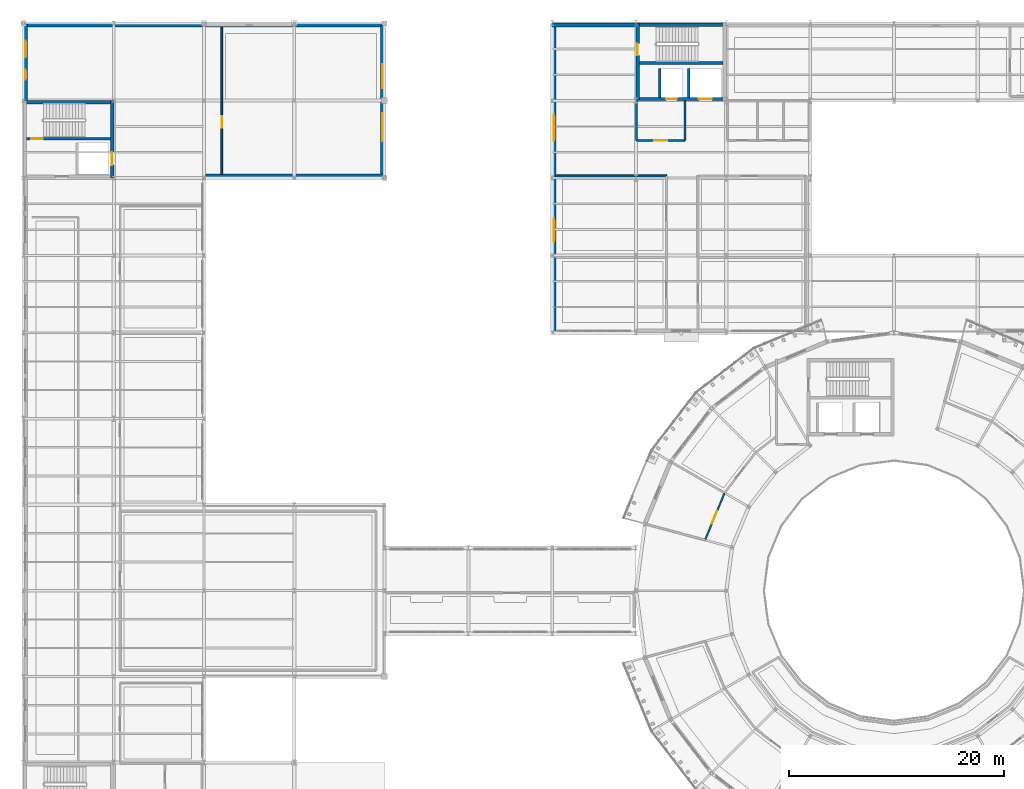
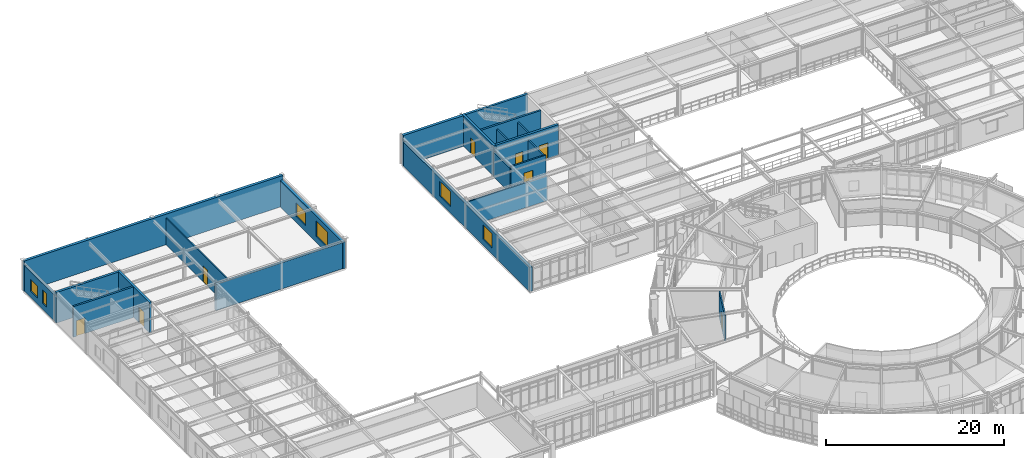
# One storey, part 76 of 90: 21 walls, 8 doors, 6 windows, 14 openings.
"""IFC4 building model written with IfcOpenShell, lengths in metres."""

from ifc_helpers import new_model, si_unit, derived_unit, direction, frame, frame_2d, origin, place, context, subcontext, project, spatial, rectangle, extrude, material, layer, layer_set, type_object, element, fill, save


model = new_model("IFC4")

# Units and contexts
model_context = context("Model", 3, precision=1e-05, world=origin(), true_north=direction((0.0, 1.0)))
body_context = subcontext(model_context, "Body", "Model", "MODEL_VIEW")
ifc_project = project(units=[si_unit("LENGTHUNIT", "METRE"), si_unit("AREAUNIT", "SQUARE_METRE"), si_unit("VOLUMEUNIT", "CUBIC_METRE"), si_unit("PLANEANGLEUNIT", "RADIAN"), si_unit("MASSUNIT", "GRAM", prefix="KILO"), derived_unit("THERMALTRANSMITTANCEUNIT", [(si_unit("POWERUNIT", "WATT"), 1), (si_unit("AREAUNIT", "SQUARE_METRE"), -1), (si_unit("THERMODYNAMICTEMPERATUREUNIT", "KELVIN"), -1)])], contexts=[model_context])

# Site, building, storey
site_placement = place(None, origin())
site = spatial("IfcSite", under=ifc_project, at=site_placement, CompositionType="ELEMENT")
building_placement = place(site_placement, origin())
building = spatial("IfcBuilding", under=site, at=building_placement, Name="Yasenodar Specialist Clinic", CompositionType="ELEMENT")
storey_placement = place(building_placement, frame((0.0, 0.0, 9.0)))
storey = spatial("IfcBuildingStorey", under=building, at=storey_placement, Name="L02", CompositionType="ELEMENT", Elevation=9.0)

# Wall
ifc_material_1 = material(Name="Fluted Terracotta Spandrel Wall", Category="masonry")
ifc_layer_1 = layer(ifc_material_1, 0.31494140625)
ifc_layer_set_1 = layer_set([ifc_layer_1], Name="Fluted Terracotta Spandrel Wall")
wall_type_1 = type_object("IfcWallType", Name="EW-TERR-315", PredefinedType="SOLIDWALL", material=ifc_layer_set_1)
wall_1_placement = place(storey_placement, frame((33.60009765625, 97.39990234375, 0.0), z_axis=(0.0, 0.0, 1.0), x_axis=(-1.0, 0.0, 0.0)))
element("IfcWall", 1, at=wall_1_placement, inside=storey, type_object=wall_type_1, Name="L02 Exterior Facade Wall 0109", PredefinedType="SOLIDWALL", context=body_context, shape_type="SweptSolid", body=[
    extrude(rectangle(XDim=16.800048828125, YDim=0.31494140625, at=frame_2d((8.39990234375, 0.0))), origin(), (0.0, 0.0, 1.0), 3.587890625),
])

# Wall, openings, windows
ifc_material_2 = material(Name="Buff Architectural Terracotta Rainscreen", Category="masonry")
ifc_layer_2 = layer(ifc_material_2, 0.340087890625)
ifc_layer_set_2 = layer_set([ifc_layer_2], Name="Buff Architectural Terracotta Rainscreen")
wall_type_2 = type_object("IfcWallType", Name="EW-TERR-340", PredefinedType="SOLIDWALL", material=ifc_layer_set_2)
wall_2_placement = place(storey_placement, frame((0.199951171875, 104.39990234375, 0.0), z_axis=(0.0, 0.0, 1.0), x_axis=(0.0, 1.0, 0.0)))
wall_2 = element("IfcWall", 2, at=wall_2_placement, inside=storey, type_object=wall_type_2, Name="L02 Exterior Facade Wall 0107", PredefinedType="SOLIDWALL", context=body_context, shape_type="SweptSolid", body=[
    extrude(rectangle(XDim=7.2001953125, YDim=0.340087890625, at=frame_2d((3.60009765625, 0.0))), origin(), (0.0, 0.0, 1.0), 3.5380859375),
])
opening_1_placement = place(wall_2_placement, frame((1.949951171875, 0.0, 0.85009765625)))
opening_1 = element("IfcOpeningElement", 3, at=opening_1_placement, cuts=wall_2, Name="Opening W-09", PredefinedType="OPENING", context=body_context, shape_type="SweptSolid", body=[
    extrude(rectangle(XDim=0.89990234375, YDim=1.800048828125, at=frame_2d((0.449951171875, 0.89990234375))), frame((0.0, 0.18017578125, 0.0), z_axis=(0.0, -1.0, 0.0), x_axis=(1.0, 0.0, 0.0)), (0.0, 0.0, 1.0), 0.360107421875),
])
opening_2_placement = place(wall_2_placement, frame((4.02490234375, 0.0, 0.85009765625)))
opening_2 = element("IfcOpeningElement", 4, at=opening_2_placement, cuts=wall_2, Name="Opening W-16", PredefinedType="OPENING", context=body_context, shape_type="SweptSolid", body=[
    extrude(rectangle(XDim=1.550048828125, YDim=1.60009765625, at=frame_2d((0.77490234375, 0.800048828125))), frame((0.0, 0.18017578125, 0.0), z_axis=(0.0, -1.0, 0.0), x_axis=(1.0, 0.0, 0.0)), (0.0, 0.0, 1.0), 0.360107421875),
])
ifc_material_3 = material(Name="Triple Low-E Argon Glazing in Bronze Aluminium Frame", Category="aluminium")
window_type_1 = type_object("IfcWindowType", Name="WIN-EXT-09", PartitioningType="SINGLE_PANEL", PredefinedType="WINDOW", material=ifc_material_3)
window_1_placement = place(opening_1_placement, origin())
window_1 = element("IfcWindow", 5, at=window_1_placement, inside=storey, type_object=window_type_1, Name="L02 Triple-Glazed Reveal Window 0105", OverallHeight=1.800048828125, OverallWidth=0.89990234375, PartitioningType="SINGLE_PANEL", PredefinedType="WINDOW", context=body_context, shape_type="SweptSolid", body=[
    extrude(rectangle(XDim=0.89990234375, YDim=1.800048828125, at=frame_2d((0.449951171875, 0.89990234375))), frame((0.0, 0.030029296875, 0.0), z_axis=(0.0, -1.0, 0.0), x_axis=(1.0, 0.0, 0.0)), (0.0, 0.0, 1.0), 0.06005859375),
])
fill(opening_1, window_1)
window_type_2 = type_object("IfcWindowType", Name="WIN-EXT-16", PartitioningType="SINGLE_PANEL", PredefinedType="WINDOW", material=ifc_material_3)
window_2_placement = place(opening_2_placement, origin())
window_2 = element("IfcWindow", 6, at=window_2_placement, inside=storey, type_object=window_type_2, Name="L02 Triple-Glazed Reveal Window 0106", OverallHeight=1.60009765625, OverallWidth=1.550048828125, PartitioningType="SINGLE_PANEL", PredefinedType="WINDOW", context=body_context, shape_type="SweptSolid", body=[
    extrude(rectangle(XDim=1.550048828125, YDim=1.60009765625, at=frame_2d((0.77490234375, 0.800048828125))), frame((0.0, 0.030029296875, 0.0), z_axis=(0.0, -1.0, 0.0), x_axis=(1.0, 0.0, 0.0)), (0.0, 0.0, 1.0), 0.06005859375),
])
fill(opening_2, window_2)

wall_3_placement = place(storey_placement, frame((33.39990234375, 111.39990234375, 0.0), z_axis=(0.0, 0.0, 1.0), x_axis=(0.0, -1.0, 0.0)))
wall_3 = element("IfcWall", 7, at=wall_3_placement, inside=storey, type_object=wall_type_2, Name="L02 Exterior Facade Wall 0108", PredefinedType="SOLIDWALL", context=body_context, shape_type="SweptSolid", body=[
    extrude(rectangle(XDim=14.199951171875, YDim=0.340087890625, at=frame_2d((7.10009765625, 0.0))), origin(), (0.0, 0.0, 1.0), 3.6279296875),
])
opening_3_placement = place(wall_3_placement, frame((3.63330078125, 0.0, 0.85009765625)))
opening_3 = element("IfcOpeningElement", 8, at=opening_3_placement, cuts=wall_3, Name="Opening W-13", PredefinedType="OPENING", context=body_context, shape_type="SweptSolid", body=[
    extrude(rectangle(XDim=2.199951171875, YDim=1.85009765625, at=frame_2d((1.10009765625, 0.925048828125))), frame((0.0, 0.18017578125, 0.0), z_axis=(0.0, -1.0, 0.0), x_axis=(1.0, 0.0, 0.0)), (0.0, 0.0, 1.0), 0.360107421875),
])
opening_4_placement = place(wall_3_placement, frame((8.166748046875, 0.0, 0.85009765625)))
opening_4 = element("IfcOpeningElement", 9, at=opening_4_placement, cuts=wall_3, Name="Opening W-14", PredefinedType="OPENING", context=body_context, shape_type="SweptSolid", body=[
    extrude(rectangle(XDim=2.60009765625, YDim=2.10009765625, at=frame_2d((1.300048828125, 1.050048828125))), frame((0.0, 0.18017578125, 0.0), z_axis=(0.0, -1.0, 0.0), x_axis=(1.0, 0.0, 0.0)), (0.0, 0.0, 1.0), 0.360107421875),
])
window_type_3 = type_object("IfcWindowType", Name="WIN-EXT-13", PartitioningType="SINGLE_PANEL", PredefinedType="WINDOW", material=ifc_material_3)
window_3_placement = place(opening_3_placement, origin())
window_3 = element("IfcWindow", 10, at=window_3_placement, inside=storey, type_object=window_type_3, Name="L02 Triple-Glazed Reveal Window 0107", OverallHeight=1.85009765625, OverallWidth=2.199951171875, PartitioningType="SINGLE_PANEL", PredefinedType="WINDOW", context=body_context, shape_type="SweptSolid", body=[
    extrude(rectangle(XDim=2.199951171875, YDim=1.85009765625, at=frame_2d((1.10009765625, 0.925048828125))), frame((0.0, 0.030029296875, 0.0), z_axis=(0.0, -1.0, 0.0), x_axis=(1.0, 0.0, 0.0)), (0.0, 0.0, 1.0), 0.06005859375),
])
fill(opening_3, window_3)
window_type_4 = type_object("IfcWindowType", Name="WIN-EXT-14", PartitioningType="SINGLE_PANEL", PredefinedType="WINDOW", material=ifc_material_3)
window_4_placement = place(opening_4_placement, origin())
window_4 = element("IfcWindow", 11, at=window_4_placement, inside=storey, type_object=window_type_4, Name="L02 Triple-Glazed Reveal Window 0108", OverallHeight=2.10009765625, OverallWidth=2.60009765625, PartitioningType="SINGLE_PANEL", PredefinedType="WINDOW", context=body_context, shape_type="SweptSolid", body=[
    extrude(rectangle(XDim=2.60009765625, YDim=2.10009765625, at=frame_2d((1.300048828125, 1.050048828125))), frame((0.0, 0.030029296875, 0.0), z_axis=(0.0, -1.0, 0.0), x_axis=(1.0, 0.0, 0.0)), (0.0, 0.0, 1.0), 0.06005859375),
])
fill(opening_4, window_4)

wall_4_placement = place(storey_placement, frame((49.3701171875, 82.800048828125, 0.0), z_axis=(0.0, 0.0, 1.0), x_axis=(0.0, 1.0, 0.0)))
wall_4 = element("IfcWall", 12, at=wall_4_placement, inside=storey, type_object=wall_type_2, Name="L02 Exterior Facade Wall 0159", PredefinedType="SOLIDWALL", context=body_context, shape_type="SweptSolid", body=[
    extrude(rectangle(XDim=28.599853515625, YDim=0.340087890625, at=frame_2d((14.2998046875, 0.0))), origin(), (0.0, 0.0, 1.0), 3.327880859375),
])
opening_5_placement = place(wall_4_placement, frame((8.4833984375, 0.0, 0.85009765625)))
opening_5 = element("IfcOpeningElement", 13, at=opening_5_placement, cuts=wall_4, Name="Opening W-07", PredefinedType="OPENING", context=body_context, shape_type="SweptSolid", body=[
    extrude(rectangle(XDim=2.10009765625, YDim=2.0, at=frame_2d((1.050048828125, 1.0))), frame((0.0, 0.18017578125, 0.0), z_axis=(0.0, -1.0, 0.0), x_axis=(1.0, 0.0, 0.0)), (0.0, 0.0, 1.0), 0.360107421875),
])
opening_6_placement = place(wall_4_placement, frame((17.86669921875, 0.0, 0.85009765625)))
opening_6 = element("IfcOpeningElement", 14, at=opening_6_placement, cuts=wall_4, Name="Opening W-08", PredefinedType="OPENING", context=body_context, shape_type="SweptSolid", body=[
    extrude(rectangle(XDim=2.39990234375, YDim=2.050048828125, at=frame_2d((1.199951171875, 1.02490234375))), frame((0.0, 0.18017578125, 0.0), z_axis=(0.0, -1.0, 0.0), x_axis=(1.0, 0.0, 0.0)), (0.0, 0.0, 1.0), 0.360107421875),
])
window_type_5 = type_object("IfcWindowType", Name="WIN-EXT-07", PartitioningType="SINGLE_PANEL", PredefinedType="WINDOW", material=ifc_material_3)
window_5_placement = place(opening_5_placement, origin())
window_5 = element("IfcWindow", 15, at=window_5_placement, inside=storey, type_object=window_type_5, Name="L02 Triple-Glazed Reveal Window 0174", OverallHeight=2.0, OverallWidth=2.10009765625, PartitioningType="SINGLE_PANEL", PredefinedType="WINDOW", context=body_context, shape_type="SweptSolid", body=[
    extrude(rectangle(XDim=2.10009765625, YDim=2.0, at=frame_2d((1.050048828125, 1.0))), frame((0.0, 0.030029296875, 0.0), z_axis=(0.0, -1.0, 0.0), x_axis=(1.0, 0.0, 0.0)), (0.0, 0.0, 1.0), 0.06005859375),
])
fill(opening_5, window_5)
window_type_6 = type_object("IfcWindowType", Name="WIN-EXT-08", PartitioningType="SINGLE_PANEL", PredefinedType="WINDOW", material=ifc_material_3)
window_6_placement = place(opening_6_placement, origin())
window_6 = element("IfcWindow", 16, at=window_6_placement, inside=storey, type_object=window_type_6, Name="L02 Triple-Glazed Reveal Window 0175", OverallHeight=2.050048828125, OverallWidth=2.39990234375, PartitioningType="SINGLE_PANEL", PredefinedType="WINDOW", context=body_context, shape_type="SweptSolid", body=[
    extrude(rectangle(XDim=2.39990234375, YDim=2.050048828125, at=frame_2d((1.199951171875, 1.02490234375))), frame((0.0, 0.030029296875, 0.0), z_axis=(0.0, -1.0, 0.0), x_axis=(1.0, 0.0, 0.0)), (0.0, 0.0, 1.0), 0.06005859375),
])
fill(opening_6, window_6)

# Wall, opening, door
ifc_material_4 = material(Name="Outpatient Examination Partition")
ifc_layer_3 = layer(ifc_material_4, 0.14990234375)
ifc_layer_set_3 = layer_set([ifc_layer_3], Name="Outpatient Examination Partition")
wall_type_3 = type_object("IfcWallType", Name="IW-CONS-150", PredefinedType="PARTITIONING", material=ifc_layer_set_3)
wall_5_placement = place(storey_placement, frame((18.449951171875, 97.53759765625, 0.0), z_axis=(0.0, 0.0, 1.0), x_axis=(0.0, 1.0, 0.0)))
wall_5 = element("IfcWall", 17, at=wall_5_placement, inside=storey, type_object=wall_type_3, Name="L02 Gastroenterology Outpatient Suite Partition", PredefinedType="PARTITIONING", context=body_context, shape_type="SweptSolid", body=[
    extrude(rectangle(XDim=13.732421875, YDim=0.14990234375, at=frame_2d((6.8662109375, 0.0))), origin(), (0.0, 0.0, 1.0), 3.657958984375),
])
opening_7_placement = place(wall_5_placement, frame((4.33251953125, 0.0, 0.0)))
opening_7 = element("IfcOpeningElement", 18, at=opening_7_placement, cuts=wall_5, Name="Opening D-04", PredefinedType="OPENING", context=body_context, shape_type="SweptSolid", body=[
    extrude(rectangle(XDim=1.06005859375, YDim=2.159912109375, at=frame_2d((0.530029296875, 1.080078125))), frame((0.0, 0.0849609375, 0.0), z_axis=(0.0, -1.0, 0.0), x_axis=(1.0, 0.0, 0.0)), (0.0, 0.0, 1.0), 0.169921875),
])
ifc_material_5 = material(Name="Powder-Coated Steel and Acoustic Laminate Leaf", Category="steel")
door_type_1 = type_object("IfcDoorType", Name="DR-CLN-106", OperationType="NOTDEFINED", PredefinedType="DOOR", material=ifc_material_5)
door_1_placement = place(opening_7_placement, origin())
door_1 = element("IfcDoor", 19, at=door_1_placement, inside=storey, type_object=door_type_1, Name="L02 Gastroenterology Outpatient Suite Door", OperationType="SINGLE_SWING_LEFT", OverallHeight=2.159912109375, OverallWidth=1.06005859375, PredefinedType="DOOR", context=body_context, shape_type="SweptSolid", body=[
    extrude(rectangle(XDim=1.06005859375, YDim=2.159912109375, at=frame_2d((0.530029296875, 1.080078125))), frame((0.0, 0.02490234375, 0.0), z_axis=(0.0, -1.0, 0.0), x_axis=(1.0, 0.0, 0.0)), (0.0, 0.0, 1.0), 0.050048828125),
])
fill(opening_7, door_1)

ifc_material_6 = material(Name="Acoustic Double-Gypsum Consulting Partition")
ifc_layer_4 = layer(ifc_material_6, 0.159912109375)
ifc_layer_set_4 = layer_set([ifc_layer_4], Name="Acoustic Double-Gypsum Consulting Partition")
wall_type_4 = type_object("IfcWallType", Name="IW-CONS-160", PredefinedType="PARTITIONING", material=ifc_layer_set_4)
wall_6_placement = place(storey_placement, frame((65.230712890625, 67.88134765625, 0.0), z_axis=(0.0, 0.0, 1.0), x_axis=(-0.382698170162, -0.923873427778, 0.0)))
wall_6 = element("IfcWall", 20, at=wall_6_placement, inside=storey, type_object=wall_type_4, Name="L02 Nurse Clinical Station Partition", PredefinedType="PARTITIONING", context=body_context, shape_type="SweptSolid", body=[
    extrude(rectangle(XDim=4.73095703125, YDim=0.159912109375, at=frame_2d((2.365478515625, 0.0))), origin(), (0.0, 0.0, 1.0), 3.568115234375),
])
opening_8_placement = place(wall_6_placement, frame((1.8154296875, 0.0, 0.0)))
opening_8 = element("IfcOpeningElement", 21, at=opening_8_placement, cuts=wall_6, Name="Opening D-07", PredefinedType="OPENING", context=body_context, shape_type="SweptSolid", body=[
    extrude(rectangle(XDim=1.239990234375, YDim=2.199951171875, at=frame_2d((0.6201171875, 1.10009765625))), frame((0.0, 0.08984375, 0.0), z_axis=(0.0, -1.0, 0.0), x_axis=(1.0, 0.0, 0.0)), (0.0, 0.0, 1.0), 0.179931640625),
])
door_type_2 = type_object("IfcDoorType", Name="DR-CLN-124", OperationType="NOTDEFINED", PredefinedType="DOOR", material=ifc_material_5)
door_2_placement = place(opening_8_placement, origin())
door_2 = element("IfcDoor", 22, at=door_2_placement, inside=storey, type_object=door_type_2, Name="L02 Nurse Clinical Station Door", OperationType="SINGLE_SWING_RIGHT", OverallHeight=2.199951171875, OverallWidth=1.239990234375, PredefinedType="DOOR", context=body_context, shape_type="SweptSolid", body=[
    extrude(rectangle(XDim=1.239990234375, YDim=2.199951171875, at=frame_2d((0.6201171875, 1.10009765625))), frame((0.0, 0.02490234375, 0.0), z_axis=(0.0, -1.0, 0.0), x_axis=(1.0, 0.0, 0.0)), (0.0, 0.0, 1.0), 0.050048828125),
])
fill(opening_8, door_2)

ifc_material_7 = material(Name="Fire-Rated Gypsum and Mineral-Wool Wall")
ifc_layer_5 = layer(ifc_material_7, 0.195068359375)
ifc_layer_set_5 = layer_set([ifc_layer_5], Name="Fire-Rated Gypsum and Mineral-Wool Wall")
wall_type_5 = type_object("IfcWallType", Name="IW-LOBBY-195", PredefinedType="PARTITIONING", material=ifc_layer_set_5)
wall_7_placement = place(storey_placement, frame((57.050048828125, 100.699951171875, 0.0), z_axis=(0.0, 0.0, 1.0), x_axis=(1.0, 0.0, 0.0)))
wall_7 = element("IfcWall", 23, at=wall_7_placement, inside=storey, type_object=wall_type_5, Name="L02 C4 Firefighting Lobby South Wall", PredefinedType="PARTITIONING", context=body_context, shape_type="SweptSolid", body=[
    extrude(rectangle(XDim=4.5, YDim=0.195068359375, at=frame_2d((2.25, 0.0))), origin(), (0.0, 0.0, 1.0), 3.637939453125),
])
opening_9_placement = place(wall_7_placement, frame((1.64990234375, 0.0, 0.0)))
opening_9 = element("IfcOpeningElement", 24, at=opening_9_placement, cuts=wall_7, Name="Opening FD-02", PredefinedType="OPENING", context=body_context, shape_type="SweptSolid", body=[
    extrude(rectangle(XDim=1.199951171875, YDim=2.14990234375, at=frame_2d((0.60009765625, 1.074951171875))), frame((0.0, 0.107421875, 0.0), z_axis=(0.0, -1.0, 0.0), x_axis=(1.0, 0.0, 0.0)), (0.0, 0.0, 1.0), 0.215087890625),
])
ifc_material_8 = material(Name="Fire-Rated Insulated Steel Door", Category="steel")
door_type_3 = type_object("IfcDoorType", Name="DR-FD-120", OperationType="NOTDEFINED", PredefinedType="DOOR", material=ifc_material_8)
door_3_placement = place(opening_9_placement, origin())
door_3 = element("IfcDoor", 25, at=door_3_placement, inside=storey, type_object=door_type_3, Name="L02 C4 Firefighting Lobby Door", OperationType="SINGLE_SWING_LEFT", OverallHeight=2.14990234375, OverallWidth=1.199951171875, PredefinedType="DOOR", context=body_context, shape_type="SweptSolid", body=[
    extrude(rectangle(XDim=1.199951171875, YDim=2.14990234375, at=frame_2d((0.60009765625, 1.074951171875))), frame((0.0, 0.02490234375, 0.0), z_axis=(0.0, -1.0, 0.0), x_axis=(1.0, 0.0, 0.0)), (0.0, 0.0, 1.0), 0.050048828125),
])
fill(opening_9, door_3)

# Walls
wall_8_placement = place(storey_placement, frame((61.550048828125, 100.699951171875, 0.0), z_axis=(0.0, 0.0, 1.0), x_axis=(0.0, 1.0, 0.0)))
element("IfcWall", 26, at=wall_8_placement, inside=storey, type_object=wall_type_5, Name="L02 C4 Firefighting Lobby East Wall", PredefinedType="PARTITIONING", context=body_context, shape_type="SweptSolid", body=[
    extrude(rectangle(XDim=3.699951171875, YDim=0.195068359375, at=frame_2d((1.85009765625, 0.0))), origin(), (0.0, 0.0, 1.0), 3.427978515625),
])
wall_9_placement = place(storey_placement, frame((57.050048828125, 100.699951171875, 0.0), z_axis=(0.0, 0.0, 1.0), x_axis=(0.0, 1.0, 0.0)))
element("IfcWall", 27, at=wall_9_placement, inside=storey, type_object=wall_type_5, Name="L02 C4 Firefighting Lobby West Wall", PredefinedType="PARTITIONING", context=body_context, shape_type="SweptSolid", body=[
    extrude(rectangle(XDim=3.699951171875, YDim=0.195068359375, at=frame_2d((1.85009765625, 0.0))), origin(), (0.0, 0.0, 1.0), 3.3779296875),
])
ifc_material_9 = material(Name="Hygienic Double-Stud Clinical Partition")
ifc_layer_6 = layer(ifc_material_9, 0.179931640625)
ifc_layer_set_6 = layer_set([ifc_layer_6], Name="Hygienic Double-Stud Clinical Partition")
wall_type_6 = type_object("IfcWallType", Name="IW-PROC-180", PredefinedType="PARTITIONING", material=ifc_layer_set_6)
wall_10_placement = place(storey_placement, frame((59.85009765625, 97.39990234375, 0.0), z_axis=(0.0, 0.0, 1.0), x_axis=(-1.0, 0.0, 0.0)))
element("IfcWall", 28, at=wall_10_placement, inside=storey, type_object=wall_type_6, Name="L02 Minor Day-Procedure Suite 03 Partition", PredefinedType="PARTITIONING", context=body_context, shape_type="SweptSolid", body=[
    extrude(rectangle(XDim=10.330078125, YDim=0.179931640625, at=frame_2d((5.1650390625, 0.0))), origin(), (0.0, 0.0, 1.0), 3.427978515625),
])
ifc_material_10 = material(Name="Aerated Concrete Blockwork Fire Shaft Wall", Category="masonry")
ifc_layer_7 = layer(ifc_material_10, 0.205078125)
ifc_layer_set_7 = layer_set([ifc_layer_7], Name="Aerated Concrete Blockwork Fire Shaft Wall")
wall_type_7 = type_object("IfcWallType", Name="IW-SHAFT-205", PredefinedType="PARTITIONING", material=ifc_layer_set_7)
for number, where, z_axis, x_axis, name in (
    (29, (59.199951171875, 104.699951171875, 0.0), (0.0, 0.0, 1.0), (0.0, 1.0, 0.0), "L02 LF-02 Lift Shaft Side Wall"),
    (30, (61.89990234375, 104.699951171875, 0.0), (0.0, 0.0, 1.0), (0.0, 1.0, 0.0), "L02 LF-04 Lift Shaft Side Wall"),
):
    element("IfcWall", number, at=place(storey_placement, frame(where, z_axis=z_axis, x_axis=x_axis)), inside=storey, type_object=wall_type_7, Name=name, PredefinedType="PARTITIONING", context=body_context, shape_type="SweptSolid", body=[
        extrude(rectangle(XDim=2.699951171875, YDim=0.205078125, at=frame_2d((1.35009765625, 0.0))), origin(), (0.0, 0.0, 1.0), 3.929931640625),
    ])

# Wall, opening, door
ifc_material_11 = material(Name="Concrete C35/45", Category="concrete")
ifc_layer_8 = layer(ifc_material_11, 0.25)
ifc_layer_set_8 = layer_set([ifc_layer_8], Name="Concrete C35/45")
wall_type_8 = type_object("IfcWallType", Name="WL-CORE-250", PredefinedType="SHEAR", material=ifc_layer_set_8)
wall_11_placement = place(storey_placement, frame((0.300048828125, 100.85009765625, 0.0), z_axis=(0.0, 0.0, 1.0), x_axis=(1.0, 0.0, 0.0)))
wall_11 = element("IfcWall", 31, at=wall_11_placement, inside=storey, type_object=wall_type_8, Name="L02 Core C2 Central Spine Wall", PredefinedType="SHEAR", context=body_context, shape_type="SweptSolid", body=[
    extrude(rectangle(XDim=7.800048828125, YDim=0.25, at=frame_2d((3.89990234375, 0.0))), origin(), (0.0, 0.0, 1.0), 4.199951171875),
])
opening_10_placement = place(wall_11_placement, frame((0.39990234375, 0.0, 0.0)))
opening_10 = element("IfcOpeningElement", 32, at=opening_10_placement, cuts=wall_11, Name="Opening FD-01", PredefinedType="OPENING", context=body_context, shape_type="SweptSolid", body=[
    extrude(rectangle(XDim=1.10009765625, YDim=2.14990234375, at=frame_2d((0.550048828125, 1.074951171875))), frame((0.0, 0.135009765625, 0.0), z_axis=(0.0, -1.0, 0.0), x_axis=(1.0, 0.0, 0.0)), (0.0, 0.0, 1.0), 0.27001953125),
])
door_type_4 = type_object("IfcDoorType", Name="DR-FD-110", OperationType="NOTDEFINED", PredefinedType="DOOR", material=ifc_material_8)
door_4_placement = place(opening_10_placement, origin())
door_4 = element("IfcDoor", 33, at=door_4_placement, inside=storey, type_object=door_type_4, Name="L02 ST-02 Protected Stair Door", OperationType="SINGLE_SWING_RIGHT", OverallHeight=2.14990234375, OverallWidth=1.10009765625, PredefinedType="DOOR", context=body_context, shape_type="SweptSolid", body=[
    extrude(rectangle(XDim=1.10009765625, YDim=2.14990234375, at=frame_2d((0.550048828125, 1.074951171875))), frame((0.0, 0.02490234375, 0.0), z_axis=(0.0, -1.0, 0.0), x_axis=(1.0, 0.0, 0.0)), (0.0, 0.0, 1.0), 0.050048828125),
])
fill(opening_10, door_4)

# Walls
wall_12_placement = place(storey_placement, frame((57.300048828125, 107.89990234375, 0.0), z_axis=(0.0, 0.0, 1.0), x_axis=(1.0, 0.0, 0.0)))
element("IfcWall", 34, at=wall_12_placement, inside=storey, type_object=wall_type_8, Name="L02 Core C4 Central Spine Wall", PredefinedType="SHEAR", context=body_context, shape_type="SweptSolid", body=[
    extrude(rectangle(XDim=7.800048828125, YDim=0.25, at=frame_2d((3.89990234375, 0.0))), origin(), (0.0, 0.0, 1.0), 4.199951171875),
])
ifc_layer_9 = layer(ifc_material_11, 0.300048828125)
ifc_layer_set_9 = layer_set([ifc_layer_9], Name="Concrete C35/45")
wall_type_9 = type_object("IfcWallType", Name="WL-CORE-300", PredefinedType="SHEAR", material=ifc_layer_set_9)
wall_13_placement = place(storey_placement, frame((0.0, 104.25, 0.0), z_axis=(0.0, 0.0, 1.0), x_axis=(1.0, 0.0, 0.0)))
element("IfcWall", 35, at=wall_13_placement, inside=storey, type_object=wall_type_9, Name="L02 Core C2 North Shear Wall", PredefinedType="SHEAR", context=body_context, shape_type="SweptSolid", body=[
    extrude(rectangle(XDim=8.39990234375, YDim=0.300048828125, at=frame_2d((4.199951171875, 0.0))), origin(), (0.0, 0.0, 1.0), 4.199951171875),
])

# Wall, opening, door
wall_14_placement = place(storey_placement, frame((8.25, 97.199951171875, 0.0), z_axis=(0.0, 0.0, 1.0), x_axis=(0.0, 1.0, 0.0)))
wall_14 = element("IfcWall", 36, at=wall_14_placement, inside=storey, type_object=wall_type_9, Name="L02 Core C2 East Shear Wall", PredefinedType="SHEAR", context=body_context, shape_type="SweptSolid", body=[
    extrude(rectangle(XDim=7.199951171875, YDim=0.300048828125, at=frame_2d((3.60009765625, 0.0))), origin(), (0.0, 0.0, 1.0), 4.199951171875),
])
opening_11_placement = place(wall_14_placement, frame((1.199951171875, 0.0, 0.0)))
opening_11 = element("IfcOpeningElement", 37, at=opening_11_placement, cuts=wall_14, Name="Opening LD-02", PredefinedType="OPENING", context=body_context, shape_type="SweptSolid", body=[
    extrude(rectangle(XDim=1.199951171875, YDim=2.14990234375, at=frame_2d((0.60009765625, 1.074951171875))), frame((0.0, 0.16015625, 0.0), z_axis=(0.0, -1.0, 0.0), x_axis=(1.0, 0.0, 0.0)), (0.0, 0.0, 1.0), 0.320068359375),
])
door_type_5 = type_object("IfcDoorType", Name="DR-LD-120", OperationType="DOUBLE_DOOR_SLIDING", PredefinedType="DOOR", material=ifc_material_8)
door_5_placement = place(opening_11_placement, origin())
door_5 = element("IfcDoor", 38, at=door_5_placement, inside=storey, type_object=door_type_5, Name="L02 LF-03 Lift Landing Door", OperationType="DOUBLE_DOOR_SLIDING", OverallHeight=2.14990234375, OverallWidth=1.199951171875, PredefinedType="DOOR", context=body_context, shape_type="SweptSolid", body=[
    extrude(rectangle(XDim=1.199951171875, YDim=2.14990234375, at=frame_2d((0.60009765625, 1.074951171875))), frame((0.0, 0.02490234375, 0.0), z_axis=(0.0, -1.0, 0.0), x_axis=(1.0, 0.0, 0.0)), (0.0, 0.0, 1.0), 0.050048828125),
])
fill(opening_11, door_5)

# Wall
wall_15_placement = place(storey_placement, frame((57.0, 111.449951171875, 0.0), z_axis=(0.0, 0.0, 1.0), x_axis=(1.0, 0.0, 0.0)))
element("IfcWall", 39, at=wall_15_placement, inside=storey, type_object=wall_type_9, Name="L02 Core C4 North Shear Wall", PredefinedType="SHEAR", context=body_context, shape_type="SweptSolid", body=[
    extrude(rectangle(XDim=8.39990234375, YDim=0.300048828125, at=frame_2d((4.199951171875, 0.0))), origin(), (0.0, 0.0, 1.0), 4.199951171875),
])

# Wall, openings, doors
wall_16_placement = place(storey_placement, frame((57.0, 104.550048828125, 0.0), z_axis=(0.0, 0.0, 1.0), x_axis=(1.0, 0.0, 0.0)))
wall_16 = element("IfcWall", 40, at=wall_16_placement, inside=storey, type_object=wall_type_9, Name="L02 Core C4 South Shear Wall", PredefinedType="SHEAR", context=body_context, shape_type="SweptSolid", body=[
    extrude(rectangle(XDim=8.39990234375, YDim=0.300048828125, at=frame_2d((4.199951171875, 0.0))), origin(), (0.0, 0.0, 1.0), 4.199951171875),
])
opening_12_placement = place(wall_16_placement, frame((2.800048828125, 0.0, 0.0)))
opening_12 = element("IfcOpeningElement", 41, at=opening_12_placement, cuts=wall_16, Name="Opening LD-01", PredefinedType="OPENING", context=body_context, shape_type="SweptSolid", body=[
    extrude(rectangle(XDim=1.0, YDim=2.10009765625, at=frame_2d((0.5, 1.050048828125))), frame((0.0, 0.16015625, 0.0), z_axis=(0.0, -1.0, 0.0), x_axis=(1.0, 0.0, 0.0)), (0.0, 0.0, 1.0), 0.320068359375),
])
opening_13_placement = place(wall_16_placement, frame((5.85009765625, 0.0, 0.0)))
opening_13 = element("IfcOpeningElement", 42, at=opening_13_placement, cuts=wall_16, Name="Opening LD-02", PredefinedType="OPENING", context=body_context, shape_type="SweptSolid", body=[
    extrude(rectangle(XDim=1.199951171875, YDim=2.14990234375, at=frame_2d((0.60009765625, 1.074951171875))), frame((0.0, 0.16015625, 0.0), z_axis=(0.0, -1.0, 0.0), x_axis=(1.0, 0.0, 0.0)), (0.0, 0.0, 1.0), 0.320068359375),
])
door_type_6 = type_object("IfcDoorType", Name="DR-LD-100", OperationType="DOUBLE_DOOR_SLIDING", PredefinedType="DOOR", material=ifc_material_8)
door_6_placement = place(opening_12_placement, origin())
door_6 = element("IfcDoor", 43, at=door_6_placement, inside=storey, type_object=door_type_6, Name="L02 LF-02 Lift Landing Door", OperationType="DOUBLE_DOOR_SLIDING", OverallHeight=2.10009765625, OverallWidth=1.0, PredefinedType="DOOR", context=body_context, shape_type="SweptSolid", body=[
    extrude(rectangle(XDim=1.0, YDim=2.10009765625, at=frame_2d((0.5, 1.050048828125))), frame((0.0, 0.02490234375, 0.0), z_axis=(0.0, -1.0, 0.0), x_axis=(1.0, 0.0, 0.0)), (0.0, 0.0, 1.0), 0.050048828125),
])
fill(opening_12, door_6)
door_7_placement = place(opening_13_placement, origin())
door_7 = element("IfcDoor", 44, at=door_7_placement, inside=storey, type_object=door_type_5, Name="L02 LF-04 Lift Landing Door", OperationType="DOUBLE_DOOR_SLIDING", OverallHeight=2.14990234375, OverallWidth=1.199951171875, PredefinedType="DOOR", context=body_context, shape_type="SweptSolid", body=[
    extrude(rectangle(XDim=1.199951171875, YDim=2.14990234375, at=frame_2d((0.60009765625, 1.074951171875))), frame((0.0, 0.02490234375, 0.0), z_axis=(0.0, -1.0, 0.0), x_axis=(1.0, 0.0, 0.0)), (0.0, 0.0, 1.0), 0.050048828125),
])
fill(opening_13, door_7)

# Wall, opening, door
wall_17_placement = place(storey_placement, frame((57.14990234375, 104.39990234375, 0.0), z_axis=(0.0, 0.0, 1.0), x_axis=(0.0, 1.0, 0.0)))
wall_17 = element("IfcWall", 45, at=wall_17_placement, inside=storey, type_object=wall_type_9, Name="L02 Core C4 West Shear Wall", PredefinedType="SHEAR", context=body_context, shape_type="SweptSolid", body=[
    extrude(rectangle(XDim=7.2001953125, YDim=0.300048828125, at=frame_2d((3.60009765625, 0.0))), origin(), (0.0, 0.0, 1.0), 4.199951171875),
])
opening_14_placement = place(wall_17_placement, frame((4.199951171875, 0.0, 0.0)))
opening_14 = element("IfcOpeningElement", 46, at=opening_14_placement, cuts=wall_17, Name="Opening FD-01", PredefinedType="OPENING", context=body_context, shape_type="SweptSolid", body=[
    extrude(rectangle(XDim=1.10009765625, YDim=2.14990234375, at=frame_2d((0.550048828125, 1.074951171875))), frame((0.0, 0.16015625, 0.0), z_axis=(0.0, -1.0, 0.0), x_axis=(1.0, 0.0, 0.0)), (0.0, 0.0, 1.0), 0.320068359375),
])
door_8_placement = place(opening_14_placement, origin())
door_8 = element("IfcDoor", 47, at=door_8_placement, inside=storey, type_object=door_type_4, Name="L02 ST-04 Protected Stair Door", OperationType="SINGLE_SWING_LEFT", OverallHeight=2.14990234375, OverallWidth=1.10009765625, PredefinedType="DOOR", context=body_context, shape_type="SweptSolid", body=[
    extrude(rectangle(XDim=1.10009765625, YDim=2.14990234375, at=frame_2d((0.550048828125, 1.074951171875))), frame((0.0, 0.02490234375, 0.0), z_axis=(0.0, -1.0, 0.0), x_axis=(1.0, 0.0, 0.0)), (0.0, 0.0, 1.0), 0.050048828125),
])
fill(opening_14, door_8)

# Walls
ifc_layer_10 = layer(ifc_material_11, 0.35009765625)
ifc_layer_set_10 = layer_set([ifc_layer_10], Name="Concrete C35/45")
wall_type_10 = type_object("IfcWallType", Name="WL-PARTY-350", PredefinedType="SHEAR", material=ifc_layer_set_10)
wall_18_placement = place(storey_placement, frame((0.0, 111.425048828125, 0.0), z_axis=(0.0, 0.0, 1.0), x_axis=(1.0, 0.0, 0.0)))
element("IfcWall", 48, at=wall_18_placement, inside=storey, type_object=wall_type_10, Name="L02 Northern Party Wall Segment 1", PredefinedType="SHEAR", context=body_context, shape_type="SweptSolid", body=[
    extrude(rectangle(XDim=33.60009765625, YDim=0.35009765625, at=frame_2d((16.800048828125, 0.0))), origin(), (0.0, 0.0, 1.0), 4.199951171875),
])
wall_19_placement = place(storey_placement, frame((49.199951171875, 111.425048828125, 0.0), z_axis=(0.0, 0.0, 1.0), x_axis=(1.0, 0.0, 0.0)))
element("IfcWall", 49, at=wall_19_placement, inside=storey, type_object=wall_type_10, Name="L02 Northern Party Wall Segment 2", PredefinedType="SHEAR", context=body_context, shape_type="SweptSolid", body=[
    extrude(rectangle(XDim=7.800048828125, YDim=0.35009765625, at=frame_2d((3.89990234375, 0.0))), origin(), (0.0, 0.0, 1.0), 4.199951171875),
])

save(model, "model.ifc")
